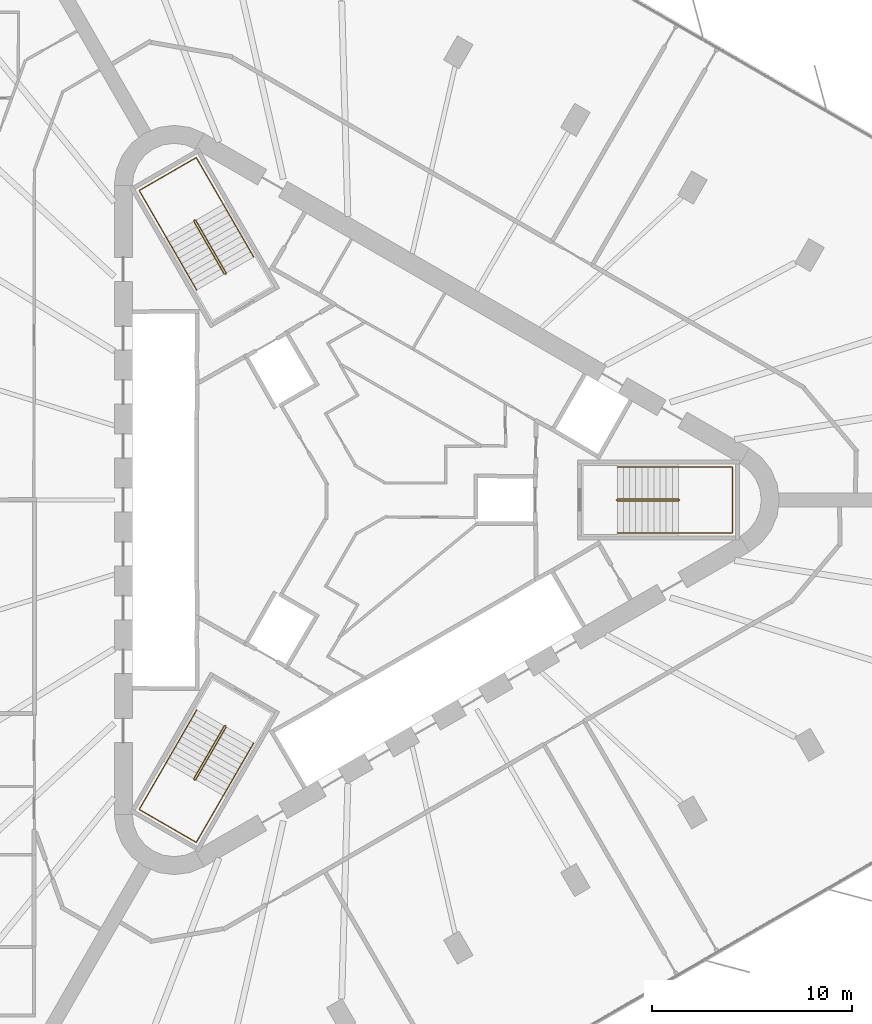
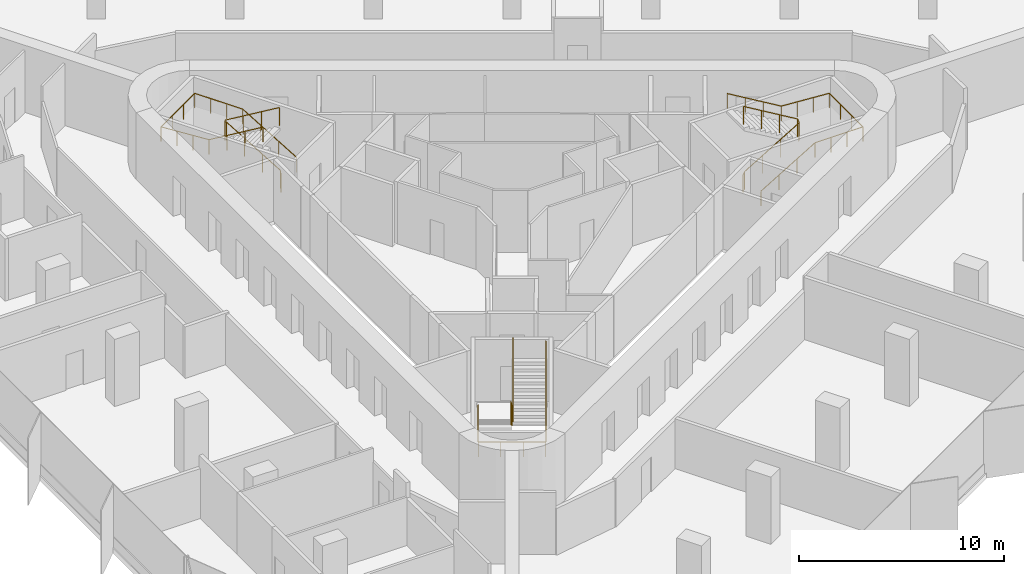
# One storey, part 14 of 14: 6 railings.
"""IFC4 building model written with IfcOpenShell, lengths in metres."""

from ifc_helpers import new_model, si_unit, direction, frame, origin, origin_2d, place, context, subcontext, project, spatial, circle, extrude, material, type_object, element, save


model = new_model("IFC4")

# Units and contexts
model_context = context("Model", 3, precision=1e-05, world=origin(), true_north=direction((0.0, 1.0)))
body_context = subcontext(model_context, "Body", "Model", "MODEL_VIEW")
ifc_project = project(units=[si_unit("LENGTHUNIT", "METRE"), si_unit("AREAUNIT", "SQUARE_METRE"), si_unit("VOLUMEUNIT", "CUBIC_METRE"), si_unit("PLANEANGLEUNIT", "RADIAN"), si_unit("MASSUNIT", "GRAM", prefix="KILO")], contexts=[model_context])

# Site, building, storey
site_placement = place(None, origin())
site = spatial("IfcSite", under=ifc_project, at=site_placement, CompositionType="ELEMENT")
building_placement = place(site_placement, origin())
building = spatial("IfcBuilding", under=site, at=building_placement, Name="Tanit Gate Tower", CompositionType="ELEMENT")
storey_placement = place(building_placement, frame((0.0, 0.0, 237.199951171875)))
storey = spatial("IfcBuildingStorey", under=building, at=storey_placement, Name="L53", CompositionType="ELEMENT", Elevation=237.199951171875)

# Railings
ifc_material_1 = material(Name="Stainless steel balustrade", Category="steel")
railing_type_1 = type_object("IfcRailingType", Name="INT-STAIR-GUARD", PredefinedType="GUARDRAIL", material=ifc_material_1)
railing_1_placement = place(storey_placement, frame((13.044921875, 0.0048828125, 0.0)))
element("IfcRailing", 1, at=railing_1_placement, inside=storey, type_object=railing_type_1, Name="L53 S1 stair guard 1", PredefinedType="GUARDRAIL", context=body_context, shape_type="SweptSolid", body=[
    extrude(circle(Radius=0.02392578125, at=origin_2d()), frame((0.0, 0.0, 1.076171875), z_axis=(0.0, -1.0, 0.0), x_axis=(1.0, 0.0, 0.0)), (0.0, 0.0, 1.0), 0.009765625),
    extrude(circle(Radius=0.02392578125, at=origin_2d()), frame((0.0, -0.009765625, 1.076171875), z_axis=(0.256435381639, -0.256435381639, 0.931923704005), x_axis=(0.707106781187, 0.707106781187, 0.0)), (0.0, 0.0, 1.0), 0.195068359375),
    extrude(circle(Radius=0.02392578125, at=origin_2d()), frame((0.050048828125, -0.059814453125, 1.2578125), z_axis=(0.859041732319, 0.0, 0.511905559781), x_axis=(0.0, 1.0, 0.0)), (0.0, 0.0, 1.0), 3.5517578125),
    extrude(circle(Radius=0.02392578125, at=origin_2d()), frame((3.10107421875, -0.059814453125, 3.076171875), z_axis=(0.707106781187, 0.707106781187, 0.0), x_axis=(-0.707106781187, 0.707106781187, 0.0)), (0.0, 0.0, 1.0), 0.07080078125),
    extrude(circle(Radius=0.02392578125, at=origin_2d()), frame((3.151123046875, -0.009765625, 3.076171875), z_axis=(0.0, 1.0, 0.0), x_axis=(-1.0, 0.0, 0.0)), (0.0, 0.0, 1.0), 0.009765625),
    extrude(circle(Radius=0.02392578125, at=origin_2d()), frame((3.151123046875, 0.0, 3.076171875), z_axis=(-0.256435381639, 0.256435381639, 0.931923704005), x_axis=(-0.707106781187, -0.707106781187, 0.0)), (0.0, 0.0, 1.0), 0.195068359375),
    extrude(circle(Radius=0.02392578125, at=origin_2d()), frame((3.10107421875, 0.050048828125, 3.2578125), z_axis=(-0.859041732319, 0.0, 0.511905559781), x_axis=(0.0, -1.0, 0.0)), (0.0, 0.0, 1.0), 3.5517578125),
    extrude(circle(Radius=0.02099609375, at=origin_2d()), origin(), (0.0, 0.0, 1.0), 1.052001953125),
    extrude(circle(Radius=0.02099609375, at=origin_2d()), frame((0.0, -0.009765625, 0.0)), (0.0, 0.0, 1.0), 1.052001953125),
    extrude(circle(Radius=0.02099609375, at=origin_2d()), frame((0.050048828125, -0.059814453125, 0.181884765625)), (0.0, 0.0, 1.0), 1.052001953125),
    extrude(circle(Radius=0.02099609375, at=origin_2d()), frame((1.067138671875, -0.059814453125, 0.787841796875)), (0.0, 0.0, 1.0), 1.052001953125),
    extrude(circle(Radius=0.02099609375, at=origin_2d()), frame((2.083984375, -0.059814453125, 1.39404296875)), (0.0, 0.0, 1.0), 1.052001953125),
    extrude(circle(Radius=0.02099609375, at=origin_2d()), frame((3.10107421875, -0.059814453125, 2.0)), (0.0, 0.0, 1.0), 1.052001953125),
    extrude(circle(Radius=0.02099609375, at=origin_2d()), frame((3.151123046875, -0.009765625, 2.0)), (0.0, 0.0, 1.0), 1.052001953125),
    extrude(circle(Radius=0.02099609375, at=origin_2d()), frame((3.151123046875, 0.0, 2.0)), (0.0, 0.0, 1.0), 1.052001953125),
    extrude(circle(Radius=0.02099609375, at=origin_2d()), frame((3.10107421875, 0.050048828125, 2.181884765625)), (0.0, 0.0, 1.0), 1.052001953125),
    extrude(circle(Radius=0.02099609375, at=origin_2d()), frame((2.083984375, 0.050048828125, 2.787841796875)), (0.0, 0.0, 1.0), 1.052001953125),
    extrude(circle(Radius=0.02099609375, at=origin_2d()), frame((1.067138671875, 0.050048828125, 3.39404296875)), (0.0, 0.0, 1.0), 1.052001953125),
    extrude(circle(Radius=0.02099609375, at=origin_2d()), frame((0.050048828125, 0.050048828125, 4.0)), (0.0, 0.0, 1.0), 1.052001953125),
])
railing_2_placement = place(storey_placement, frame((-6.527099609375, 11.29345703125, 0.0)))
element("IfcRailing", 2, at=railing_2_placement, inside=storey, type_object=railing_type_1, Name="L53 S2 stair guard 1", PredefinedType="GUARDRAIL", context=body_context, shape_type="SweptSolid", body=[
    extrude(circle(Radius=0.02392578125, at=origin_2d()), frame((0.0, 0.0, 1.076171875), z_axis=(0.868243142124, 0.496138938357, 0.0), x_axis=(-0.496138938357, 0.868243142124, 0.0)), (0.0, 0.0, 1.0), 0.01171875),
    extrude(circle(Radius=0.02392578125, at=origin_2d()), frame((0.01025390625, 0.005859375, 1.076171875), z_axis=(0.093819657636, 0.350260055175, 0.93194193252), x_axis=(-0.965948051503, 0.258736085224, 0.0)), (0.0, 0.0, 1.0), 0.195068359375),
    extrude(circle(Radius=0.02392578125, at=origin_2d()), frame((0.028564453125, 0.07421875, 1.2578125), z_axis=(-0.429472220917, 0.743822504634, 0.512134448226), x_axis=(-0.866012246495, -0.500022788402, 0.0)), (0.0, 0.0, 1.0), 3.550048828125),
    extrude(circle(Radius=0.02392578125, at=origin_2d()), frame((-1.49609375, 2.71484375, 3.076171875), z_axis=(-0.965715946433, 0.259601060869, 0.0), x_axis=(-0.259601060869, -0.965715946433, 0.0)), (0.0, 0.0, 1.0), 0.070556640625),
    extrude(circle(Radius=0.02392578125, at=origin_2d()), frame((-1.564208984375, 2.733154296875, 3.076171875), z_axis=(-0.873197702015, -0.487366159264, 0.0), x_axis=(0.487366159264, -0.873197702015, 0.0)), (0.0, 0.0, 1.0), 0.011962890625),
    extrude(circle(Radius=0.02392578125, at=origin_2d()), frame((-1.57470703125, 2.727294921875, 3.076171875), z_axis=(-0.093819657636, -0.350260055175, 0.93194193252), x_axis=(0.965948051503, -0.258736085224, 0.0)), (0.0, 0.0, 1.0), 0.195068359375),
    extrude(circle(Radius=0.02392578125, at=origin_2d()), frame((-1.593017578125, 2.658935546875, 3.2578125), z_axis=(0.429472220917, -0.743822504634, 0.512134448226), x_axis=(0.866012246495, 0.500022788402, 0.0)), (0.0, 0.0, 1.0), 3.550048828125),
    extrude(circle(Radius=0.02099609375, at=origin_2d()), origin(), (0.0, 0.0, 1.0), 1.052001953125),
    extrude(circle(Radius=0.02099609375, at=origin_2d()), frame((0.01025390625, 0.005859375, 0.0)), (0.0, 0.0, 1.0), 1.052001953125),
    extrude(circle(Radius=0.02099609375, at=origin_2d()), frame((0.028564453125, 0.07421875, 0.181884765625)), (0.0, 0.0, 1.0), 1.052001953125),
    extrude(circle(Radius=0.02099609375, at=origin_2d()), frame((-0.479736328125, 0.954345703125, 0.787841796875)), (0.0, 0.0, 1.0), 1.052001953125),
    extrude(circle(Radius=0.02099609375, at=origin_2d()), frame((-0.98779296875, 1.834716796875, 1.39404296875)), (0.0, 0.0, 1.0), 1.052001953125),
    extrude(circle(Radius=0.02099609375, at=origin_2d()), frame((-1.49609375, 2.71484375, 2.0)), (0.0, 0.0, 1.0), 1.052001953125),
    extrude(circle(Radius=0.02099609375, at=origin_2d()), frame((-1.564208984375, 2.733154296875, 2.0)), (0.0, 0.0, 1.0), 1.052001953125),
    extrude(circle(Radius=0.02099609375, at=origin_2d()), frame((-1.57470703125, 2.727294921875, 2.0)), (0.0, 0.0, 1.0), 1.052001953125),
    extrude(circle(Radius=0.02099609375, at=origin_2d()), frame((-1.593017578125, 2.658935546875, 2.181884765625)), (0.0, 0.0, 1.0), 1.052001953125),
    extrude(circle(Radius=0.02099609375, at=origin_2d()), frame((-1.084716796875, 1.77880859375, 2.787841796875)), (0.0, 0.0, 1.0), 1.052001953125),
    extrude(circle(Radius=0.02099609375, at=origin_2d()), frame((-0.57666015625, 0.8984375, 3.39404296875)), (0.0, 0.0, 1.0), 1.052001953125),
    extrude(circle(Radius=0.02099609375, at=origin_2d()), frame((-0.068359375, 0.018310546875, 4.0)), (0.0, 0.0, 1.0), 1.052001953125),
])
railing_3_placement = place(storey_placement, frame((-6.51806640625, -11.2998046875, 0.0)))
element("IfcRailing", 3, at=railing_3_placement, inside=storey, type_object=railing_type_1, Name="L53 S3 stair guard 1", PredefinedType="GUARDRAIL", context=body_context, shape_type="SweptSolid", body=[
    extrude(circle(Radius=0.02392578125, at=origin_2d()), frame((0.0, 0.0, 1.076171875), z_axis=(-0.874157276122, 0.485642931179, 0.0), x_axis=(-0.485642931179, -0.874157276122, 0.0)), (0.0, 0.0, 1.0), 0.010009765625),
    extrude(circle(Radius=0.02392578125, at=origin_2d()), frame((-0.0087890625, 0.0048828125, 1.076171875), z_axis=(-0.350300895388, -0.092579522353, 0.932050596658), x_axis=(0.255512919477, -0.966805641264, 0.0)), (0.0, 0.0, 1.0), 0.195068359375),
    extrude(circle(Radius=0.02392578125, at=origin_2d()), frame((-0.0771484375, -0.01318359375, 1.2578125), z_axis=(-0.429486674828, -0.743971555965, 0.511905772639), x_axis=(0.866048339477, -0.499960272111, 0.0)), (0.0, 0.0, 1.0), 3.5517578125),
    extrude(circle(Radius=0.02392578125, at=origin_2d()), frame((-1.6025390625, -2.655517578125, 3.076171875), z_axis=(0.258736085224, -0.965948051503, 0.0), x_axis=(0.965948051503, 0.258736085224, 0.0)), (0.0, 0.0, 1.0), 0.07080078125),
    extrude(circle(Radius=0.02392578125, at=origin_2d()), frame((-1.584228515625, -2.723876953125, 3.076171875), z_axis=(0.868243142124, -0.496138938357, 0.0), x_axis=(0.496138938357, 0.868243142124, 0.0)), (0.0, 0.0, 1.0), 0.009765625),
    extrude(circle(Radius=0.02392578125, at=origin_2d()), frame((-1.57568359375, -2.728759765625, 3.076171875), z_axis=(0.350260055175, 0.093819657636, 0.93194193252), x_axis=(-0.258736085224, 0.965948051503, 0.0)), (0.0, 0.0, 1.0), 0.195068359375),
    extrude(circle(Radius=0.02392578125, at=origin_2d()), frame((-1.50732421875, -2.71044921875, 3.2578125), z_axis=(0.429564698942, 0.743918894535, 0.511916836777), x_axis=(-0.865993683553, 0.500054937028, 0.0)), (0.0, 0.0, 1.0), 3.551513671875),
    extrude(circle(Radius=0.02099609375, at=origin_2d()), origin(), (0.0, 0.0, 1.0), 1.052001953125),
    extrude(circle(Radius=0.02099609375, at=origin_2d()), frame((-0.0087890625, 0.0048828125, 0.0)), (0.0, 0.0, 1.0), 1.052001953125),
    extrude(circle(Radius=0.02099609375, at=origin_2d()), frame((-0.0771484375, -0.01318359375, 0.181884765625)), (0.0, 0.0, 1.0), 1.052001953125),
    extrude(circle(Radius=0.02099609375, at=origin_2d()), frame((-0.585693359375, -0.89404296875, 0.787841796875)), (0.0, 0.0, 1.0), 1.052001953125),
    extrude(circle(Radius=0.02099609375, at=origin_2d()), frame((-1.093994140625, -1.774658203125, 1.39404296875)), (0.0, 0.0, 1.0), 1.052001953125),
    extrude(circle(Radius=0.02099609375, at=origin_2d()), frame((-1.6025390625, -2.655517578125, 2.0)), (0.0, 0.0, 1.0), 1.052001953125),
    extrude(circle(Radius=0.02099609375, at=origin_2d()), frame((-1.584228515625, -2.723876953125, 2.0)), (0.0, 0.0, 1.0), 1.052001953125),
    extrude(circle(Radius=0.02099609375, at=origin_2d()), frame((-1.57568359375, -2.728759765625, 2.0)), (0.0, 0.0, 1.0), 1.052001953125),
    extrude(circle(Radius=0.02099609375, at=origin_2d()), frame((-1.50732421875, -2.71044921875, 2.181884765625)), (0.0, 0.0, 1.0), 1.052001953125),
    extrude(circle(Radius=0.02099609375, at=origin_2d()), frame((-0.998779296875, -1.829833984375, 2.787841796875)), (0.0, 0.0, 1.0), 1.052001953125),
    extrude(circle(Radius=0.02099609375, at=origin_2d()), frame((-0.490234375, -0.948974609375, 3.39404296875)), (0.0, 0.0, 1.0), 1.052001953125),
    extrude(circle(Radius=0.02099609375, at=origin_2d()), frame((0.018310546875, -0.068359375, 4.0)), (0.0, 0.0, 1.0), 1.052001953125),
])
ifc_material_2 = material(Name="Stainless steel handrail", Category="steel")
railing_type_2 = type_object("IfcRailingType", Name="INT-STAIR-HANDRAIL", PredefinedType="HANDRAIL", material=ifc_material_2)
railing_4_placement = place(storey_placement, frame((13.094970703125, -1.64990234375, 0.181884765625)))
element("IfcRailing", 4, at=railing_4_placement, inside=storey, type_object=railing_type_2, Name="L53 S1 stair handrail 1", PredefinedType="HANDRAIL", context=body_context, shape_type="SweptSolid", body=[
    extrude(circle(Radius=0.02392578125, at=origin_2d()), frame((0.0, 0.0, 0.8759765625), z_axis=(0.859041732319, 0.0, 0.511905559781), x_axis=(0.0, 1.0, 0.0)), (0.0, 0.0, 1.0), 3.5517578125),
    extrude(circle(Radius=0.02392578125, at=origin_2d()), frame((3.051025390625, 0.0, 2.69384765625), z_axis=(1.0, 0.0, 0.0), x_axis=(0.0, 1.0, 0.0)), (0.0, 0.0, 1.0), 2.7041015625),
    extrude(circle(Radius=0.02392578125, at=origin_2d()), frame((5.755126953125, 0.0, 2.69384765625), z_axis=(0.0, 1.0, 0.0), x_axis=(-1.0, 0.0, 0.0)), (0.0, 0.0, 1.0), 3.2998046875),
    extrude(circle(Radius=0.02392578125, at=origin_2d()), frame((5.755126953125, 3.2998046875, 2.69384765625), z_axis=(-0.997745521698, 0.0, 0.067110907698), x_axis=(0.0, -1.0, 0.0)), (0.0, 0.0, 1.0), 2.710205078125),
    extrude(circle(Radius=0.02392578125, at=origin_2d()), frame((3.051025390625, 3.2998046875, 2.8759765625), z_axis=(-0.859041732319, 0.0, 0.511905559781), x_axis=(0.0, -1.0, 0.0)), (0.0, 0.0, 1.0), 3.5517578125),
    extrude(circle(Radius=0.02099609375, at=origin_2d()), origin(), (0.0, 0.0, 1.0), 0.851806640625),
    extrude(circle(Radius=0.02099609375, at=origin_2d()), frame((1.01708984375, 0.0, 0.60595703125)), (0.0, 0.0, 1.0), 0.851806640625),
    extrude(circle(Radius=0.02099609375, at=origin_2d()), frame((2.033935546875, 0.0, 1.212158203125)), (0.0, 0.0, 1.0), 0.851806640625),
    extrude(circle(Radius=0.02099609375, at=origin_2d()), frame((3.051025390625, 0.0, 1.818115234375)), (0.0, 0.0, 1.0), 0.851806640625),
    extrude(circle(Radius=0.02099609375, at=origin_2d()), frame((3.952392578125, 0.0, 1.818115234375)), (0.0, 0.0, 1.0), 0.851806640625),
    extrude(circle(Radius=0.02099609375, at=origin_2d()), frame((4.853759765625, 0.0, 1.818115234375)), (0.0, 0.0, 1.0), 0.851806640625),
    extrude(circle(Radius=0.02099609375, at=origin_2d()), frame((5.755126953125, 0.0, 1.818115234375)), (0.0, 0.0, 1.0), 0.851806640625),
    extrude(circle(Radius=0.02099609375, at=origin_2d()), frame((5.755126953125, 1.099853515625, 1.818115234375)), (0.0, 0.0, 1.0), 0.851806640625),
    extrude(circle(Radius=0.02099609375, at=origin_2d()), frame((5.755126953125, 2.199951171875, 1.818115234375)), (0.0, 0.0, 1.0), 0.851806640625),
    extrude(circle(Radius=0.02099609375, at=origin_2d()), frame((5.755126953125, 3.2998046875, 1.818115234375)), (0.0, 0.0, 1.0), 0.851806640625),
    extrude(circle(Radius=0.02099609375, at=origin_2d()), frame((4.853759765625, 3.2998046875, 1.878662109375)), (0.0, 0.0, 1.0), 0.851806640625),
    extrude(circle(Radius=0.02099609375, at=origin_2d()), frame((3.952392578125, 3.2998046875, 1.939453125)), (0.0, 0.0, 1.0), 0.851806640625),
    extrude(circle(Radius=0.02099609375, at=origin_2d()), frame((3.051025390625, 3.2998046875, 2.0)), (0.0, 0.0, 1.0), 0.851806640625),
    extrude(circle(Radius=0.02099609375, at=origin_2d()), frame((2.033935546875, 3.2998046875, 2.60595703125)), (0.0, 0.0, 1.0), 0.851806640625),
    extrude(circle(Radius=0.02099609375, at=origin_2d()), frame((1.01708984375, 3.2998046875, 3.212158203125)), (0.0, 0.0, 1.0), 0.851806640625),
    extrude(circle(Radius=0.02099609375, at=origin_2d()), frame((0.0, 3.2998046875, 3.818115234375)), (0.0, 0.0, 1.0), 0.851806640625),
])
railing_5_placement = place(storey_placement, frame((-5.1181640625, 12.164794921875, 0.181884765625)))
element("IfcRailing", 5, at=railing_5_placement, inside=storey, type_object=railing_type_2, Name="L53 S2 stair handrail 1", PredefinedType="HANDRAIL", context=body_context, shape_type="SweptSolid", body=[
    extrude(circle(Radius=0.02392578125, at=origin_2d()), frame((0.0, 0.0, 0.8759765625), z_axis=(-0.429416132344, 0.743844472684, 0.512149573602), x_axis=(-0.866046917185, -0.499962735845, 0.0)), (0.0, 0.0, 1.0), 3.550048828125),
    extrude(circle(Radius=0.02392578125, at=origin_2d()), frame((-1.5244140625, 2.640625, 2.69384765625), z_axis=(-0.500019123664, 0.86601436245, 0.0), x_axis=(-0.86601436245, -0.500019123664, 0.0)), (0.0, 0.0, 1.0), 2.70703125),
    extrude(circle(Radius=0.02392578125, at=origin_2d()), frame((-2.8779296875, 4.98486328125, 2.69384765625), z_axis=(-0.866008176907, -0.50002983664, 0.0), x_axis=(0.50002983664, -0.866008176907, 0.0)), (0.0, 0.0, 1.0), 3.300048828125),
    extrude(circle(Radius=0.02392578125, at=origin_2d()), frame((-5.73583984375, 3.334716796875, 2.69384765625), z_axis=(0.498932980467, -0.864043208057, 0.067046369128), x_axis=(0.865991810323, 0.500058181068, 0.0)), (0.0, 0.0, 1.0), 2.712890625),
    extrude(circle(Radius=0.02392578125, at=origin_2d()), frame((-4.38232421875, 0.99072265625, 2.8759765625), z_axis=(0.429450252752, -0.743853224023, 0.512108251761), x_axis=(0.866032263162, 0.499988119021, 0.0)), (0.0, 0.0, 1.0), 3.55029296875),
    extrude(circle(Radius=0.02099609375, at=origin_2d()), origin(), (0.0, 0.0, 1.0), 0.851806640625),
    extrude(circle(Radius=0.02099609375, at=origin_2d()), frame((-0.508056640625, 0.880126953125, 0.60595703125)), (0.0, 0.0, 1.0), 0.851806640625),
    extrude(circle(Radius=0.02099609375, at=origin_2d()), frame((-1.016357421875, 1.760498046875, 1.212158203125)), (0.0, 0.0, 1.0), 0.851806640625),
    extrude(circle(Radius=0.02099609375, at=origin_2d()), frame((-1.5244140625, 2.640625, 1.818115234375)), (0.0, 0.0, 1.0), 0.851806640625),
    extrude(circle(Radius=0.02099609375, at=origin_2d()), frame((-1.9755859375, 3.422119140625, 1.818115234375)), (0.0, 0.0, 1.0), 0.851806640625),
    extrude(circle(Radius=0.02099609375, at=origin_2d()), frame((-2.4267578125, 4.203369140625, 1.818115234375)), (0.0, 0.0, 1.0), 0.851806640625),
    extrude(circle(Radius=0.02099609375, at=origin_2d()), frame((-2.8779296875, 4.98486328125, 1.818115234375)), (0.0, 0.0, 1.0), 0.851806640625),
    extrude(circle(Radius=0.02099609375, at=origin_2d()), frame((-3.83056640625, 4.434814453125, 1.818115234375)), (0.0, 0.0, 1.0), 0.851806640625),
    extrude(circle(Radius=0.02099609375, at=origin_2d()), frame((-4.783203125, 3.884765625, 1.818115234375)), (0.0, 0.0, 1.0), 0.851806640625),
    extrude(circle(Radius=0.02099609375, at=origin_2d()), frame((-5.73583984375, 3.334716796875, 1.818115234375)), (0.0, 0.0, 1.0), 0.851806640625),
    extrude(circle(Radius=0.02099609375, at=origin_2d()), frame((-5.28466796875, 2.553466796875, 1.878662109375)), (0.0, 0.0, 1.0), 0.851806640625),
    extrude(circle(Radius=0.02099609375, at=origin_2d()), frame((-4.83349609375, 1.77197265625, 1.939453125)), (0.0, 0.0, 1.0), 0.851806640625),
    extrude(circle(Radius=0.02099609375, at=origin_2d()), frame((-4.38232421875, 0.99072265625, 2.0)), (0.0, 0.0, 1.0), 0.851806640625),
    extrude(circle(Radius=0.02099609375, at=origin_2d()), frame((-3.8740234375, 0.1103515625, 2.60595703125)), (0.0, 0.0, 1.0), 0.851806640625),
    extrude(circle(Radius=0.02099609375, at=origin_2d()), frame((-3.365966796875, -0.769775390625, 3.212158203125)), (0.0, 0.0, 1.0), 0.851806640625),
    extrude(circle(Radius=0.02099609375, at=origin_2d()), frame((-2.857666015625, -1.650146484375, 3.818115234375)), (0.0, 0.0, 1.0), 0.851806640625),
])
railing_6_placement = place(storey_placement, frame((-7.9765625, -10.515625, 0.181884765625)))
element("IfcRailing", 6, at=railing_6_placement, inside=storey, type_object=railing_type_2, Name="L53 S3 stair handrail 1", PredefinedType="HANDRAIL", context=body_context, shape_type="SweptSolid", body=[
    extrude(circle(Radius=0.02392578125, at=origin_2d()), frame((0.0, 0.0, 0.8759765625), z_axis=(-0.429486674828, -0.743971555965, 0.511905772639), x_axis=(0.866048339477, -0.499960272111, 0.0)), (0.0, 0.0, 1.0), 3.5517578125),
    extrude(circle(Radius=0.02392578125, at=origin_2d()), frame((-1.525390625, -2.642333984375, 2.69384765625), z_axis=(-0.50004290449, -0.866000631449, 0.0), x_axis=(0.866000631449, -0.50004290449, 0.0)), (0.0, 0.0, 1.0), 2.703857421875),
    extrude(circle(Radius=0.02392578125, at=origin_2d()), frame((-2.87744140625, -4.98388671875, 2.69384765625), z_axis=(0.866008176907, -0.50002983664, 0.0), x_axis=(0.50002983664, 0.866008176907, 0.0)), (0.0, 0.0, 1.0), 3.300048828125),
    extrude(circle(Radius=0.02392578125, at=origin_2d()), frame((-0.01953125, -6.634033203125, 2.69384765625), z_axis=(0.498876541924, 0.864070745781, 0.067111416348), x_axis=(-0.866023205937, 0.500003806764, 0.0)), (0.0, 0.0, 1.0), 2.710205078125),
    extrude(circle(Radius=0.02392578125, at=origin_2d()), frame((1.33251953125, -4.292236328125, 2.8759765625), z_axis=(0.429486674828, 0.743971555965, 0.511905772639), x_axis=(-0.866048339477, 0.499960272111, 0.0)), (0.0, 0.0, 1.0), 3.5517578125),
    extrude(circle(Radius=0.02099609375, at=origin_2d()), origin(), (0.0, 0.0, 1.0), 0.851806640625),
    extrude(circle(Radius=0.02099609375, at=origin_2d()), frame((-0.508544921875, -0.880859375, 0.60595703125)), (0.0, 0.0, 1.0), 0.851806640625),
    extrude(circle(Radius=0.02099609375, at=origin_2d()), frame((-1.016845703125, -1.761474609375, 1.212158203125)), (0.0, 0.0, 1.0), 0.851806640625),
    extrude(circle(Radius=0.02099609375, at=origin_2d()), frame((-1.525390625, -2.642333984375, 1.818115234375)), (0.0, 0.0, 1.0), 0.851806640625),
    extrude(circle(Radius=0.02099609375, at=origin_2d()), frame((-1.97607421875, -3.4228515625, 1.818115234375)), (0.0, 0.0, 1.0), 0.851806640625),
    extrude(circle(Radius=0.02099609375, at=origin_2d()), frame((-2.4267578125, -4.203369140625, 1.818115234375)), (0.0, 0.0, 1.0), 0.851806640625),
    extrude(circle(Radius=0.02099609375, at=origin_2d()), frame((-2.87744140625, -4.98388671875, 1.818115234375)), (0.0, 0.0, 1.0), 0.851806640625),
    extrude(circle(Radius=0.02099609375, at=origin_2d()), frame((-1.9248046875, -5.533935546875, 1.818115234375)), (0.0, 0.0, 1.0), 0.851806640625),
    extrude(circle(Radius=0.02099609375, at=origin_2d()), frame((-0.97216796875, -6.083984375, 1.818115234375)), (0.0, 0.0, 1.0), 0.851806640625),
    extrude(circle(Radius=0.02099609375, at=origin_2d()), frame((-0.01953125, -6.634033203125, 1.818115234375)), (0.0, 0.0, 1.0), 0.851806640625),
    extrude(circle(Radius=0.02099609375, at=origin_2d()), frame((0.43115234375, -5.853515625, 1.878662109375)), (0.0, 0.0, 1.0), 0.851806640625),
    extrude(circle(Radius=0.02099609375, at=origin_2d()), frame((0.8818359375, -5.07275390625, 1.939453125)), (0.0, 0.0, 1.0), 0.851806640625),
    extrude(circle(Radius=0.02099609375, at=origin_2d()), frame((1.33251953125, -4.292236328125, 2.0)), (0.0, 0.0, 1.0), 0.851806640625),
    extrude(circle(Radius=0.02099609375, at=origin_2d()), frame((1.841064453125, -3.411376953125, 2.60595703125)), (0.0, 0.0, 1.0), 0.851806640625),
    extrude(circle(Radius=0.02099609375, at=origin_2d()), frame((2.349365234375, -2.53076171875, 3.212158203125)), (0.0, 0.0, 1.0), 0.851806640625),
    extrude(circle(Radius=0.02099609375, at=origin_2d()), frame((2.85791015625, -1.64990234375, 3.818115234375)), (0.0, 0.0, 1.0), 0.851806640625),
])

save(model, "model.ifc")
